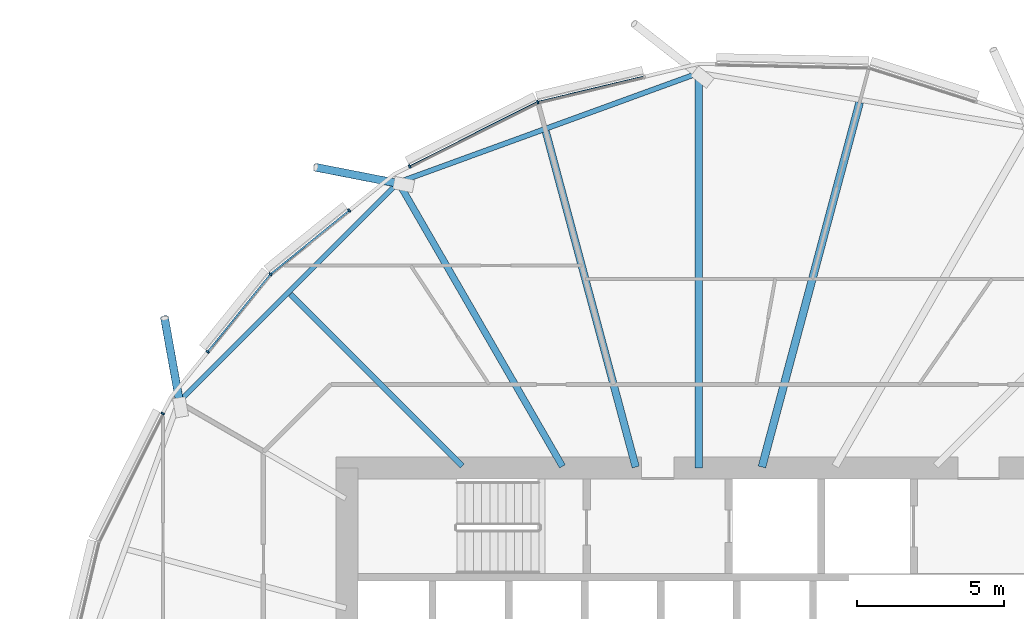
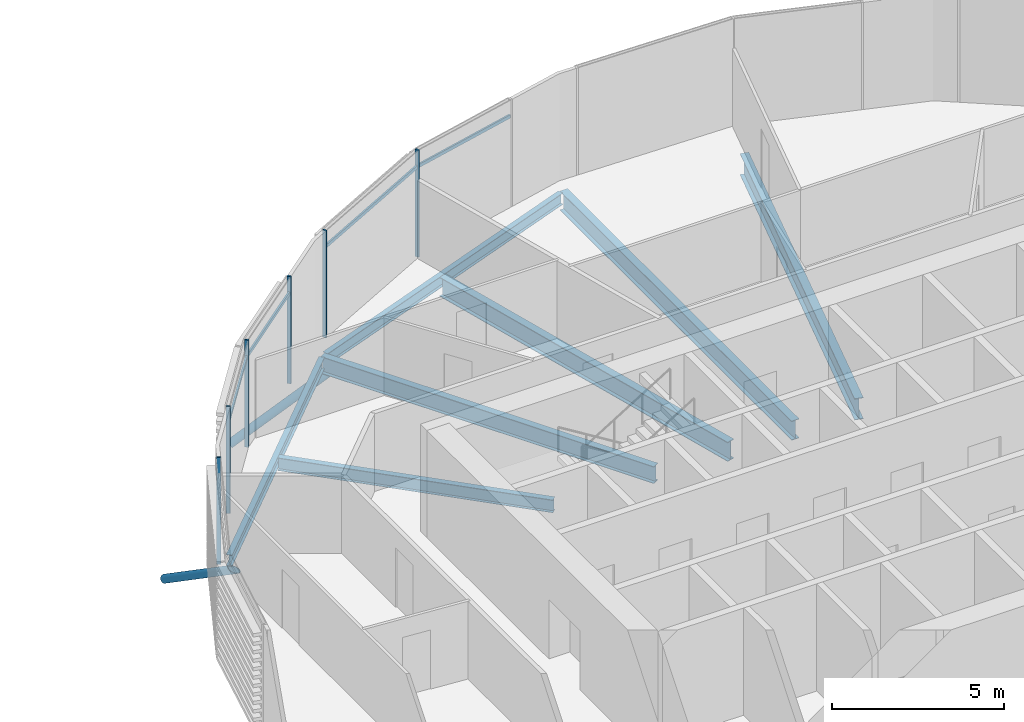
# One storey, part 17 of 38: 12 members, 7 beams, 1 element without a shape of its own.
"""IFC4 building model written with IfcOpenShell, lengths in metres."""

from ifc_helpers import new_model, si_unit, direction, frame, origin, origin_2d, place, context, subcontext, project, spatial, rectangle, hollow_circle, i_section, extrude, clip, halfspace, material, material_profile, profile_set, type_object, element, aggregate, save


model = new_model("IFC4")

# Units and contexts
model_context = context("Model", 3, precision=1e-05, world=origin(), true_north=direction((0.0, 1.0)))
body_context = subcontext(model_context, "Body", "Model", "MODEL_VIEW")
ifc_project = project(units=[si_unit("LENGTHUNIT", "METRE"), si_unit("AREAUNIT", "SQUARE_METRE"), si_unit("VOLUMEUNIT", "CUBIC_METRE"), si_unit("PLANEANGLEUNIT", "RADIAN"), si_unit("MASSUNIT", "GRAM", prefix="KILO")], contexts=[model_context])

# Site, building, storey
site_placement = place(None, origin())
site = spatial("IfcSite", under=ifc_project, at=site_placement, CompositionType="ELEMENT")
building_placement = place(site_placement, origin())
building = spatial("IfcBuilding", under=site, at=building_placement, Name="Rimbun Link Towers", CompositionType="ELEMENT")
storey_placement = place(building_placement, frame((0.0, 0.0, 123.39990234375)))
storey = spatial("IfcBuildingStorey", under=building, at=storey_placement, Name="L30", CompositionType="ELEMENT", Elevation=123.39990234375)

# Curtain wall, members
ifc_material_1 = material(Name="Aluminium 6063-T6 and low-iron glass", Category="aluminium")
curtain_wall_type = type_object("IfcCurtainWallType", Name="CW1-Z2 unitised vision wall (zone 2)", PredefinedType="NOTDEFINED", material=ifc_material_1)
curtain_wall_placement = place(storey_placement, origin())
curtain_wall = element("IfcCurtainWall", 1, at=curtain_wall_placement, inside=storey, type_object=curtain_wall_type, Name="CW1 L30 T2", PredefinedType="NOTDEFINED")
ifc_material_2 = material(Name="Aluminium 6063-T6", Category="aluminium")
ifc_material_profile_1 = material_profile(ifc_material_2, rectangle(XDim=0.1201171875, YDim=0.06005859375, at=origin_2d()), Name="MULLION 60X120")
ifc_profile_set_1 = profile_set([ifc_material_profile_1], Name="Aluminium 6063-T6")
member_type_1 = type_object("IfcMemberType", Name="CW1 mullion 60X120", PredefinedType="MULLION", material=ifc_profile_set_1)
member_1_placement = place(storey_placement, frame((26.25732421875, 20.47802734375, 0.0), z_axis=(0.0, 0.0, 1.0), x_axis=(-0.342974549868, 0.939344696127, 0.0)))
member_1 = element("IfcMember", 2, at=member_1_placement, type_object=member_type_1, Name="CW1 mullion", PredefinedType="MULLION", context=body_context, shape_type="SweptSolid", body=[
    extrude(rectangle(XDim=0.1201171875, YDim=0.06005859375, at=origin_2d()), origin(), (0.0, 0.0, 1.0), 3.800048828125),
])
member_2_placement = place(storey_placement, frame((21.88916015625, 18.28466796875, 0.0), z_axis=(0.0, 0.0, 1.0), x_axis=(-0.448789200311, 0.893637652343, 0.0)))
member_2 = element("IfcMember", 3, at=member_2_placement, type_object=member_type_1, Name="CW1 mullion", PredefinedType="MULLION", context=body_context, shape_type="SweptSolid", body=[
    extrude(rectangle(XDim=0.1201171875, YDim=0.06005859375, at=origin_2d()), origin(), (0.0, 0.0, 1.0), 3.800048828125),
])
member_3_placement = place(storey_placement, frame((17.141845703125, 14.608154296875, 0.0), z_axis=(0.0, 0.0, 1.0), x_axis=(-0.707106781187, 0.707106781187, 0.0)))
member_3 = element("IfcMember", 4, at=member_3_placement, type_object=member_type_1, Name="CW1 mullion", PredefinedType="MULLION", context=body_context, shape_type="SweptSolid", body=[
    extrude(rectangle(XDim=0.1201171875, YDim=0.06005859375, at=origin_2d()), origin(), (0.0, 0.0, 1.0), 3.800048828125),
])
member_4_placement = place(storey_placement, frame((19.826416015625, 16.781494140625, 0.0), z_axis=(0.0, 0.0, 1.0), x_axis=(-0.62915825639, 0.777277227517, 0.0)))
member_4 = element("IfcMember", 5, at=member_4_placement, type_object=member_type_1, Name="CW1 mullion", PredefinedType="MULLION", context=body_context, shape_type="SweptSolid", body=[
    extrude(rectangle(XDim=0.1201171875, YDim=0.06005859375, at=origin_2d()), origin(), (0.0, 0.0, 1.0), 3.800048828125),
])
member_5_placement = place(storey_placement, frame((15.0, 11.96240234375, 0.0), z_axis=(0.0, 0.0, 1.0), x_axis=(-0.777277227517, 0.62915825639, 0.0)))
member_5 = element("IfcMember", 6, at=member_5_placement, type_object=member_type_1, Name="CW1 mullion", PredefinedType="MULLION", context=body_context, shape_type="SweptSolid", body=[
    extrude(rectangle(XDim=0.1201171875, YDim=0.06005859375, at=origin_2d()), origin(), (0.0, 0.0, 1.0), 3.800048828125),
])
member_6_placement = place(storey_placement, frame((13.46533203125, 9.86083984375, 0.0), z_axis=(0.0, 0.0, 1.0), x_axis=(-0.893637652343, 0.448789200311, 0.0)))
member_6 = element("IfcMember", 7, at=member_6_placement, type_object=member_type_1, Name="CW1 mullion", PredefinedType="MULLION", context=body_context, shape_type="SweptSolid", body=[
    extrude(rectangle(XDim=0.1201171875, YDim=0.06005859375, at=origin_2d()), origin(), (0.0, 0.0, 1.0), 3.800048828125),
])
ifc_material_3 = material(Name="Aluminium 6063-T6", Category="aluminium")
ifc_material_profile_2 = material_profile(ifc_material_3, rectangle(XDim=0.06005859375, YDim=0.1201171875, at=origin_2d()), Name="TRANSOM 60X120")
ifc_profile_set_2 = profile_set([ifc_material_profile_2], Name="Aluminium 6063-T6")
member_type_2 = type_object("IfcMemberType", Name="CW1 transom 60X120", PredefinedType="USERDEFINED", material=ifc_profile_set_2)
member_7_placement = place(storey_placement, frame((26.293701171875, 20.485107421875, 3.2001953125), z_axis=(0.972571359766, 0.232604707954, 0.0), x_axis=(-0.232604707954, 0.972571359766, 0.0)))
member_7 = element("IfcMember", 8, at=member_7_placement, type_object=member_type_2, Name="CW1 transom", ObjectType="TRANSOM", PredefinedType="USERDEFINED", context=body_context, shape_type="SweptSolid", body=[
    extrude(rectangle(XDim=0.06005859375, YDim=0.1201171875, at=origin_2d()), origin(), (0.0, 0.0, 1.0), 3.666259765625),
])
member_8_placement = place(storey_placement, frame((21.916748046875, 18.29638671875, 3.2001953125), z_axis=(0.893645973419, 0.44877263084, 0.0), x_axis=(-0.44877263084, 0.893645973419, 0.0)))
member_8 = element("IfcMember", 9, at=member_8_placement, type_object=member_type_2, Name="CW1 transom", ObjectType="TRANSOM", PredefinedType="USERDEFINED", context=body_context, shape_type="SweptSolid", body=[
    extrude(rectangle(XDim=0.06005859375, YDim=0.1201171875, at=origin_2d()), origin(), (0.0, 0.0, 1.0), 4.821044921875),
])
member_9_placement = place(storey_placement, frame((17.171142578125, 14.629638671875, 3.2001953125), z_axis=(0.777270045063, 0.629167129662, 0.0), x_axis=(-0.629167129662, 0.777270045063, 0.0)))
member_9 = element("IfcMember", 10, at=member_9_placement, type_object=member_type_2, Name="CW1 transom", ObjectType="TRANSOM", PredefinedType="USERDEFINED", context=body_context, shape_type="SweptSolid", body=[
    extrude(rectangle(XDim=0.06005859375, YDim=0.1201171875, at=origin_2d()), origin(), (0.0, 0.0, 1.0), 3.387451171875),
])
member_10_placement = place(storey_placement, frame((15.0205078125, 11.984619140625, 3.2001953125), z_axis=(0.629154037675, 0.777280642289, 0.0), x_axis=(-0.777280642289, 0.629154037675, 0.0)))
member_10 = element("IfcMember", 11, at=member_10_placement, type_object=member_type_2, Name="CW1 transom", ObjectType="TRANSOM", PredefinedType="USERDEFINED", context=body_context, shape_type="SweptSolid", body=[
    extrude(rectangle(XDim=0.06005859375, YDim=0.1201171875, at=origin_2d()), origin(), (0.0, 0.0, 1.0), 3.337646484375),
])
aggregate(curtain_wall, [member_1, member_2, member_3, member_4, member_5, member_6, member_7, member_8, member_9, member_10])

# Members
ifc_material_4 = material(Name="Steel S355J2H", Category="steel")
ifc_material_profile_3 = material_profile(ifc_material_4, hollow_circle(Radius=0.136474609375, WallThickness=0.012451171875, at=origin_2d()), Name="CHS 273x12.5")
ifc_profile_set_3 = profile_set([ifc_material_profile_3], Name="Steel S355J2H")
member_type_3 = type_object("IfcMemberType", Name="Floor edge link CHS 273x12.5", PredefinedType="BRACE", material=ifc_profile_set_3)
member_11_placement = place(storey_placement, frame((21.531494140625, 17.69921875, -0.879150390625), z_axis=(-0.837660286551, 0.163779522556, -0.521058070013), x_axis=(-0.191886876469, -0.98141705031, 0.0)))
element("IfcMember", 12, at=member_11_placement, inside=storey, type_object=member_type_3, Name="Floor edge link T2 L30 05", PredefinedType="BRACE", context=body_context, shape_type="Clipping", body=[
    clip(extrude(hollow_circle(Radius=0.136474609375, WallThickness=0.012451171875, at=origin_2d()), frame((0.0, 0.0, -0.46630859375)), (0.0, 0.0, 1.0), 3.87548828125), halfspace(frame((0.0, 0.0, -0.219970703125), z_axis=(0.0, 0.853521228602, -0.521058070013)), False)),
])
member_12_placement = place(storey_placement, frame((14.05078125, 10.218505859375, -0.6298828125), z_axis=(-0.148893321778, 0.828663066342, -0.539581598287), x_axis=(-0.98423836701, -0.176846930722, 0.0)))
element("IfcMember", 13, at=member_12_placement, inside=storey, type_object=member_type_3, Name="Floor edge link T2 L30 07", PredefinedType="BRACE", context=body_context, shape_type="Clipping", body=[
    clip(extrude(hollow_circle(Radius=0.136474609375, WallThickness=0.012451171875, at=origin_2d()), frame((0.0, 0.0, -0.444580078125)), (0.0, 0.0, 1.0), 3.9501953125), halfspace(frame((0.0, 0.0, -0.20947265625), z_axis=(0.0, 0.84193331018, -0.539581598287)), False)),
])

# Beams
ifc_material_5 = material(Name="Steel S355J2", Category="steel")
ifc_material_profile_4 = material_profile(ifc_material_5, i_section(OverallWidth=0.177978515625, OverallDepth=0.406494140625, WebThickness=0.0078125, FlangeThickness=0.0126953125, at=origin_2d()), Name="UB 406x178x60")
ifc_profile_set_4 = profile_set([ifc_material_profile_4], Name="Steel S355J2")
beam_type_1 = type_object("IfcBeamType", Name="UB 406x178x60", PredefinedType="BEAM", material=ifc_profile_set_4)
beam_1_placement = place(storey_placement, frame((31.622314453125, 21.4267578125, -0.363037109375), z_axis=(-0.939623960717, -0.342208726434, 0.0), x_axis=(0.342208726434, -0.939623960717, 0.0)))
element("IfcBeam", 14, at=beam_1_placement, inside=storey, type_object=beam_type_1, Name="Edge beam T2 L30 03-05", PredefinedType="BEAM", context=body_context, shape_type="SweptSolid", body=[
    extrude(i_section(OverallWidth=0.177978515625, OverallDepth=0.406494140625, WebThickness=0.0078125, FlangeThickness=0.0126953125, at=origin_2d()), origin(), (0.0, 0.0, 1.0), 10.6494140625),
])
beam_2_placement = place(storey_placement, frame((21.42236328125, 17.658447265625, -0.363037109375), z_axis=(-0.707106781187, -0.707106781187, 0.0), x_axis=(0.707106781187, -0.707106781187, 0.0)))
element("IfcBeam", 15, at=beam_2_placement, inside=storey, type_object=beam_type_1, Name="Edge beam T2 L30 05-07", PredefinedType="BEAM", context=body_context, shape_type="SweptSolid", body=[
    extrude(i_section(OverallWidth=0.177978515625, OverallDepth=0.406494140625, WebThickness=0.0078125, FlangeThickness=0.0126953125, at=origin_2d()), origin(), (0.0, 0.0, 1.0), 10.396240234375),
])
ifc_material_6 = material(Name="Steel S355J2", Category="steel")
ifc_material_profile_5 = material_profile(ifc_material_6, i_section(OverallWidth=0.18994140625, OverallDepth=0.453369140625, WebThickness=0.008544921875, FlangeThickness=0.0126953125, at=origin_2d()), Name="UB 457x191x67")
ifc_profile_set_5 = profile_set([ifc_material_profile_5], Name="Steel S355J2")
beam_type_2 = type_object("IfcBeamType", Name="UB 457x191x67", PredefinedType="BEAM", material=ifc_profile_set_5)
beam_3_placement = place(storey_placement, frame((23.68212890625, 8.06787109375, -0.38671875), z_axis=(-0.707106781187, 0.707106781187, 0.0), x_axis=(-0.707106781187, -0.707106781187, 0.0)))
element("IfcBeam", 16, at=beam_3_placement, inside=storey, type_object=beam_type_2, Name="Radial beam T2 L30 06", PredefinedType="BEAM", context=body_context, shape_type="SweptSolid", body=[
    extrude(i_section(OverallWidth=0.18994140625, OverallDepth=0.453369140625, WebThickness=0.008544921875, FlangeThickness=0.0126953125, at=origin_2d()), origin(), (0.0, 0.0, 1.0), 8.28955078125),
])
ifc_material_7 = material(Name="Steel S355J2", Category="steel")
ifc_material_profile_6 = material_profile(ifc_material_7, i_section(OverallWidth=0.2275390625, OverallDepth=0.6025390625, WebThickness=0.010498046875, FlangeThickness=0.014892578125, at=origin_2d()), Name="UB 610x229x101")
ifc_profile_set_6 = profile_set([ifc_material_profile_6], Name="Steel S355J2")
beam_type_3 = type_object("IfcBeamType", Name="UB 610x229x101", PredefinedType="BEAM", material=ifc_profile_set_6)
beam_4_placement = place(storey_placement, frame((27.097900390625, 8.057861328125, -0.461181640625), z_axis=(-0.500010962549, 0.866019074461, 0.0), x_axis=(-0.866019074461, -0.500010962549, 0.0)))
element("IfcBeam", 17, at=beam_4_placement, inside=storey, type_object=beam_type_3, Name="Radial beam T2 L30 05", PredefinedType="BEAM", context=body_context, shape_type="SweptSolid", body=[
    extrude(i_section(OverallWidth=0.2275390625, OverallDepth=0.6025390625, WebThickness=0.010498046875, FlangeThickness=0.014892578125, at=origin_2d()), origin(), (0.0, 0.0, 1.0), 11.182861328125),
])
ifc_material_8 = material(Name="Steel S355J2", Category="steel")
ifc_material_profile_7 = material_profile(ifc_material_8, i_section(OverallWidth=0.253662109375, OverallDepth=0.68359375, WebThickness=0.012451171875, FlangeThickness=0.01904296875, at=origin_2d()), Name="UB 686x254x140")
ifc_profile_set_7 = profile_set([ifc_material_profile_7], Name="Steel S355J2")
beam_type_4 = type_object("IfcBeamType", Name="UB 686x254x140", PredefinedType="BEAM", material=ifc_profile_set_7)
beam_5_placement = place(storey_placement, frame((31.75, 8.0009765625, -0.501708984375), z_axis=(0.0, 1.0, 0.0), x_axis=(-1.0, 0.0, 0.0)))
element("IfcBeam", 18, at=beam_5_placement, inside=storey, type_object=beam_type_4, Name="Radial beam T2 L30 03", PredefinedType="BEAM", context=body_context, shape_type="SweptSolid", body=[
    extrude(i_section(OverallWidth=0.253662109375, OverallDepth=0.68359375, WebThickness=0.012451171875, FlangeThickness=0.01904296875, at=origin_2d()), origin(), (0.0, 0.0, 1.0), 13.47216796875),
])
beam_6_placement = place(storey_placement, frame((29.597412109375, 8.03369140625, -0.501708984375), z_axis=(-0.258818149122, 0.965926066366, 0.0), x_axis=(-0.965926066366, -0.258818149122, 0.0)))
element("IfcBeam", 19, at=beam_6_placement, inside=storey, type_object=beam_type_4, Name="Radial beam T2 L30 04", PredefinedType="BEAM", context=body_context, shape_type="SweptSolid", body=[
    extrude(i_section(OverallWidth=0.253662109375, OverallDepth=0.68359375, WebThickness=0.012451171875, FlangeThickness=0.01904296875, at=origin_2d()), origin(), (0.0, 0.0, 1.0), 11.8466796875),
])
ifc_material_9 = material(Name="Steel S355J2", Category="steel")
ifc_material_profile_8 = material_profile(ifc_material_9, i_section(OverallWidth=0.2666015625, OverallDepth=0.76220703125, WebThickness=0.014404296875, FlangeThickness=0.021484375, at=origin_2d()), Name="UB 762x267x173")
ifc_profile_set_8 = profile_set([ifc_material_profile_8], Name="Steel S355J2")
beam_type_5 = type_object("IfcBeamType", Name="UB 762x267x173", PredefinedType="BEAM", material=ifc_profile_set_8)
beam_7_placement = place(storey_placement, frame((33.903076171875, 8.035400390625, -0.541015625), z_axis=(0.258816984012, 0.965926378554, 0.0), x_axis=(-0.965926378554, 0.258816984012, 0.0)))
element("IfcBeam", 20, at=beam_7_placement, inside=storey, type_object=beam_type_5, Name="Radial beam T2 L30 02", PredefinedType="BEAM", context=body_context, shape_type="SweptSolid", body=[
    extrude(i_section(OverallWidth=0.2666015625, OverallDepth=0.76220703125, WebThickness=0.014404296875, FlangeThickness=0.021484375, at=origin_2d()), origin(), (0.0, 0.0, 1.0), 12.872314453125),
])

save(model, "model.ifc")
